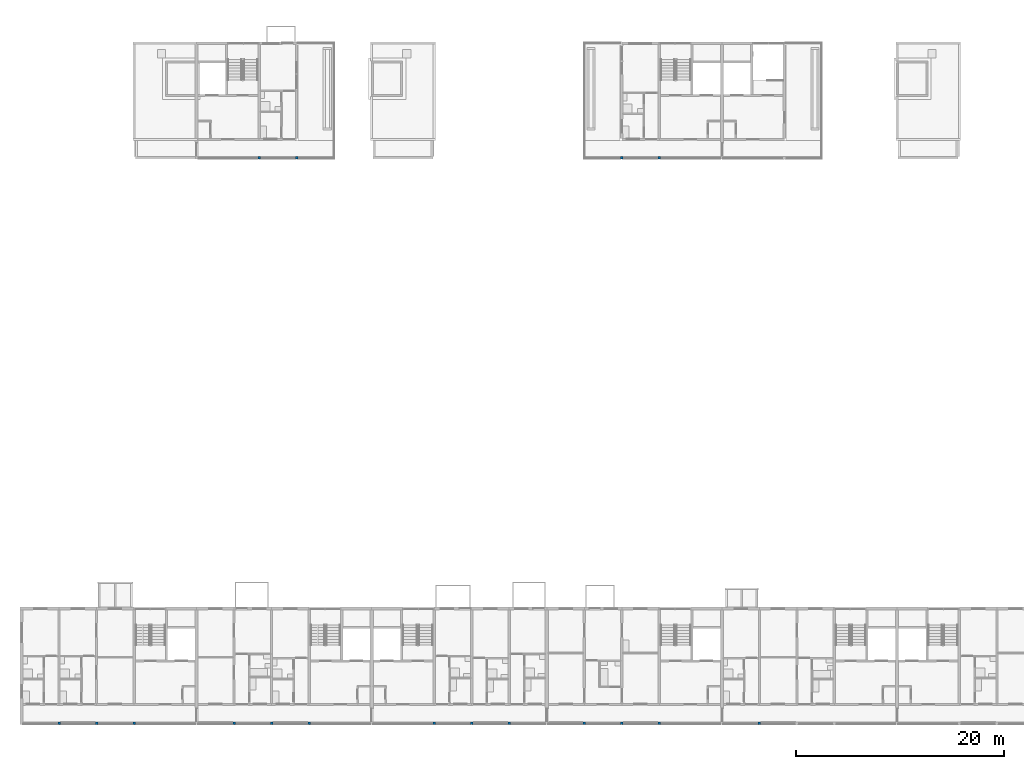
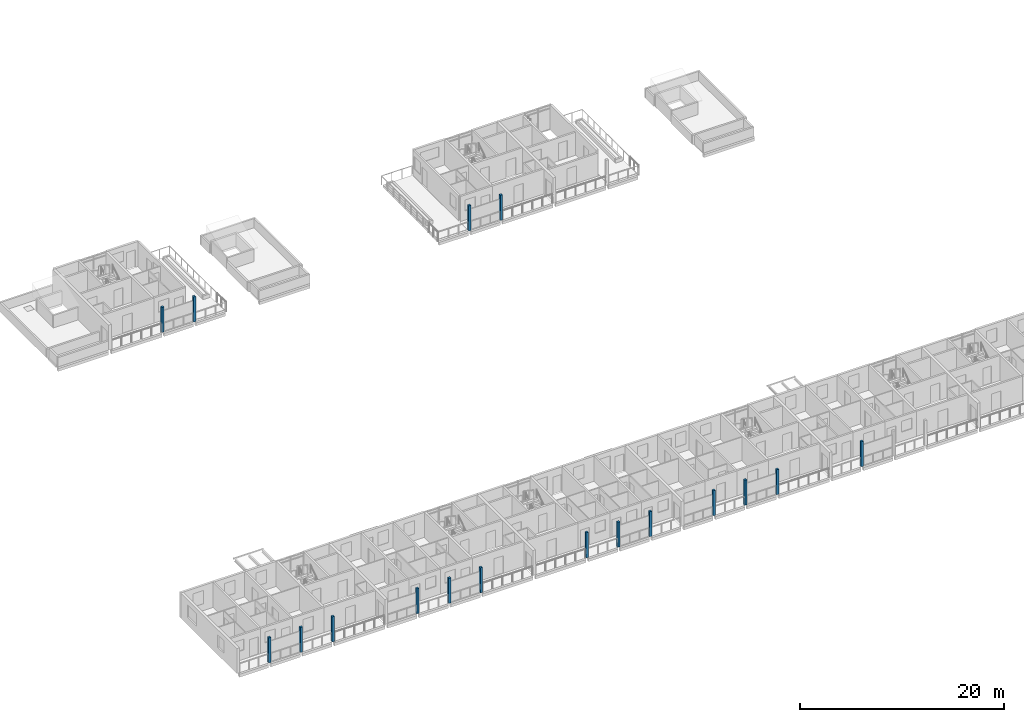
# One storey, part 1 of 87: 17 columns.
"""IFC4 building model written with IfcOpenShell, lengths in metres."""

from ifc_helpers import new_model, si_unit, direction, frame, origin, origin_2d, place, context, subcontext, project, spatial, rectangle, extrude, material, material_profile, profile_set, type_object, element, save


model = new_model("IFC4")

# Units and contexts
model_context = context("Model", 3, precision=1e-05, world=origin(), true_north=direction((0.0, 1.0)))
body_context = subcontext(model_context, "Body", "Model", "MODEL_VIEW")
ifc_project = project(units=[si_unit("LENGTHUNIT", "METRE"), si_unit("AREAUNIT", "SQUARE_METRE"), si_unit("VOLUMEUNIT", "CUBIC_METRE"), si_unit("PLANEANGLEUNIT", "RADIAN"), si_unit("MASSUNIT", "GRAM", prefix="KILO")], contexts=[model_context])

# Site, building, storey
site_placement = place(None, origin())
site = spatial("IfcSite", under=ifc_project, at=site_placement, CompositionType="ELEMENT")
building_placement = place(site_placement, origin())
building = spatial("IfcBuilding", under=site, at=building_placement, Name="Ridgestep Commons", CompositionType="ELEMENT")
storey_placement = place(building_placement, frame((0.0, 0.0, 27.0)))
storey = spatial("IfcBuildingStorey", under=building, at=storey_placement, Name="L09", CompositionType="ELEMENT", Elevation=27.0)

# Columns
ifc_material = material(Name="Precast concrete C40/50", Category="concrete")
ifc_material_profile = material_profile(ifc_material, rectangle(XDim=0.25, YDim=0.25, at=origin_2d()), Name="PC 250x250")
ifc_profile_set = profile_set([ifc_material_profile], Name="Precast concrete C40/50")
column_type = type_object("IfcColumnType", Name="Loggia column 250 x 250", PredefinedType="COLUMN", material=ifc_profile_set)
for number, where, z_axis, x_axis, name in (
    (1, (15.60009765625, 11.875, 0.0), (0.0, 0.0, 1.0), (1.0, 0.0, 0.0), "Loggia column A L09"),
    (2, (19.199951171875, 11.875, 0.0), (0.0, 0.0, 1.0), (1.0, 0.0, 0.0), "Loggia column A L09"),
    (3, (22.800048828125, 11.875, 0.0), (0.0, 0.0, 1.0), (1.0, 0.0, 0.0), "Loggia column A L09"),
    (4, (32.39990234375, 11.875, 0.0), (0.0, 0.0, 1.0), (1.0, 0.0, 0.0), "Loggia column A L09"),
    (5, (36.0, 11.875, 0.0), (0.0, 0.0, 1.0), (1.0, 0.0, 0.0), "Loggia column A L09"),
    (6, (39.60009765625, 11.875, 0.0), (0.0, 0.0, 1.0), (1.0, 0.0, 0.0), "Loggia column A L09"),
    (7, (51.60009765625, 11.875, 0.0), (0.0, 0.0, 1.0), (1.0, 0.0, 0.0), "Loggia column A L09"),
    (8, (55.199951171875, 11.875, 0.0), (0.0, 0.0, 1.0), (1.0, 0.0, 0.0), "Loggia column A L09"),
    (9, (58.800048828125, 11.875, 0.0), (0.0, 0.0, 1.0), (1.0, 0.0, 0.0), "Loggia column A L09"),
    (10, (66.0, 11.875, 0.0), (0.0, 0.0, 1.0), (1.0, 0.0, 0.0), "Loggia column A L09"),
    (11, (69.60009765625, 11.875, 0.0), (0.0, 0.0, 1.0), (1.0, 0.0, 0.0), "Loggia column A L09"),
    (12, (73.199951171875, 11.875, 0.0), (0.0, 0.0, 1.0), (1.0, 0.0, 0.0), "Loggia column A L09"),
    (13, (82.800048828125, 11.875, 0.0), (0.0, 0.0, 1.0), (1.0, 0.0, 0.0), "Loggia column A L09"),
    (14, (34.800048828125, 66.125, 0.0), (0.0, 0.0, 1.0), (1.0, 0.0, 0.0), "Loggia column B L09"),
    (15, (38.39990234375, 66.125, 0.0), (0.0, 0.0, 1.0), (1.0, 0.0, 0.0), "Loggia column B L09"),
    (16, (69.60009765625, 66.125, 0.0), (0.0, 0.0, 1.0), (1.0, 0.0, 0.0), "Loggia column B L09"),
    (17, (73.199951171875, 66.125, 0.0), (0.0, 0.0, 1.0), (1.0, 0.0, 0.0), "Loggia column B L09"),
):
    element("IfcColumn", number, at=place(storey_placement, frame(where, z_axis=z_axis, x_axis=x_axis)), inside=storey, type_object=column_type, Name=name, PredefinedType="COLUMN", context=body_context, shape_type="SweptSolid", body=[
        extrude(rectangle(XDim=0.25, YDim=0.25, at=origin_2d()), origin(), (0.0, 0.0, 1.0), 3.0),
    ])

save(model, "model.ifc")
